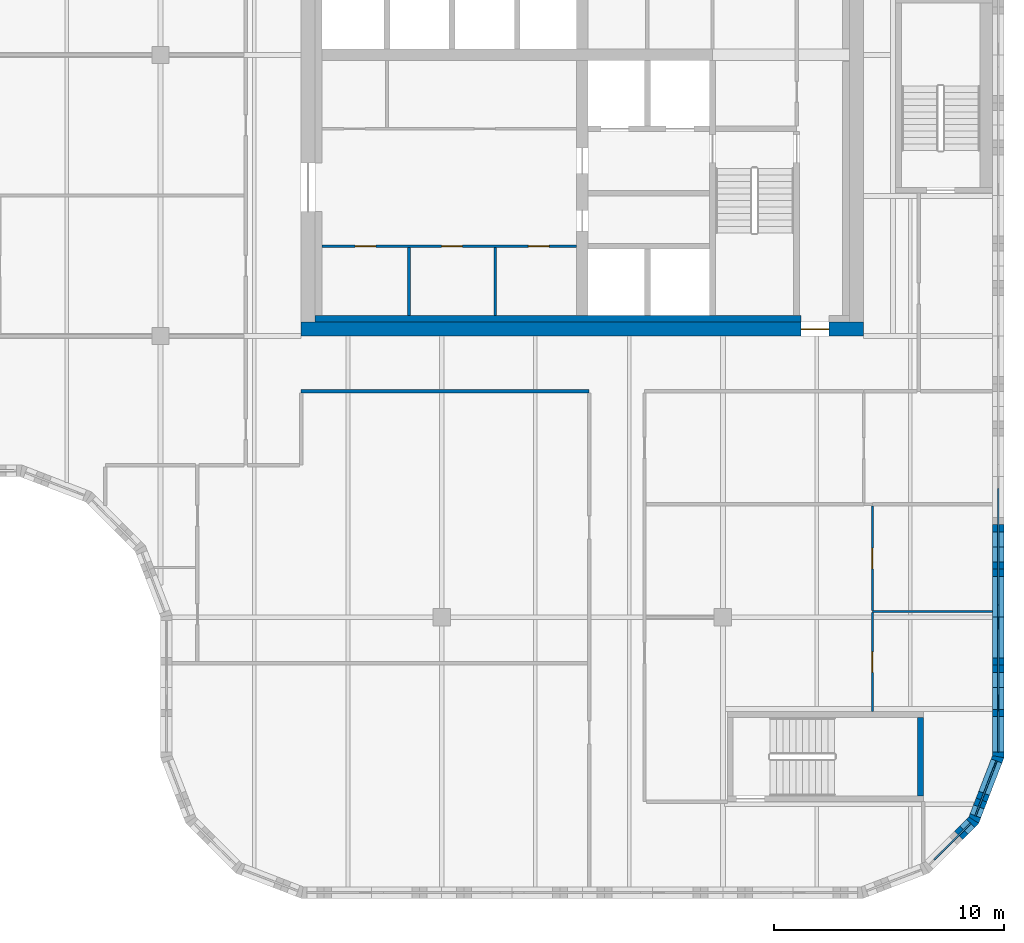
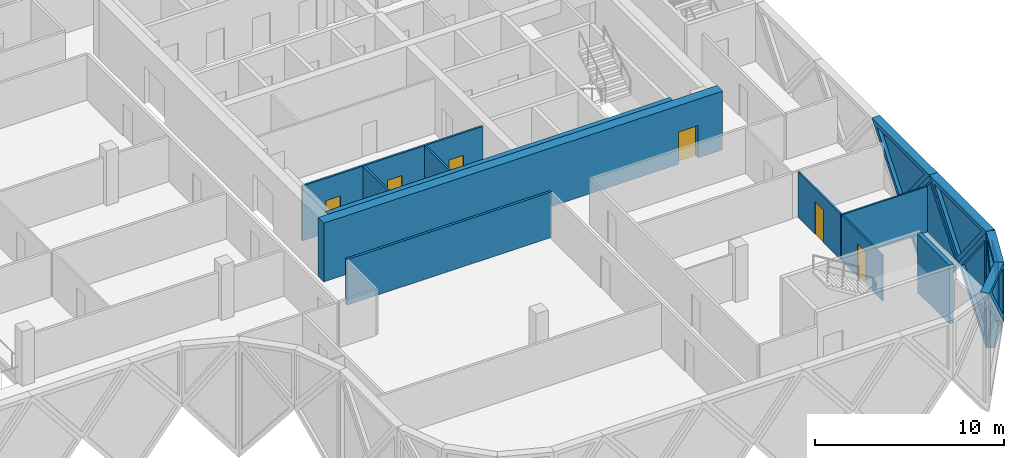
# One storey, part 7 of 15: 17 walls, 7 plates, 6 doors, 13 openings.
"""IFC4 building model written with IfcOpenShell, lengths in metres."""

from ifc_helpers import new_model, si_unit, direction, frame, frame_2d, origin, place, context, subcontext, project, spatial, polyline, rectangle, outline, extrude, faceted_brep, source, transform, mapped, material, layer, layer_set, type_object, element, fill, save


model = new_model("IFC4")

# Units and contexts
model_context = context("Model", 3, precision=1e-05, world=origin(), true_north=direction((0.0, 1.0)))
body_context = subcontext(model_context, "Body", "Model", "MODEL_VIEW")
ifc_project = project(units=[si_unit("LENGTHUNIT", "METRE"), si_unit("AREAUNIT", "SQUARE_METRE"), si_unit("VOLUMEUNIT", "CUBIC_METRE"), si_unit("PLANEANGLEUNIT", "RADIAN"), si_unit("MASSUNIT", "GRAM", prefix="KILO")], contexts=[model_context])

# Site, building, storey
site_placement = place(None, origin())
site = spatial("IfcSite", under=ifc_project, at=site_placement, CompositionType="ELEMENT")
building_placement = place(site_placement, origin())
building = spatial("IfcBuilding", under=site, at=building_placement, Name="Tessera Gate Towers", CompositionType="ELEMENT")
storey_placement = place(building_placement, frame((0.0, 0.0, 189.60009765625)))
storey = spatial("IfcBuildingStorey", under=building, at=storey_placement, Name="L47", CompositionType="ELEMENT", Elevation=189.60009765625)

# Wall
ifc_material_1 = material(Name="Concrete C40/50", Category="concrete")
ifc_layer_1 = layer(ifc_material_1, 0.25)
ifc_layer_set_1 = layer_set([ifc_layer_1], Name="CORE ENCLOSURE WALL 250")
wall_type_1 = type_object("IfcWallType", Name="CORE ENCLOSURE WALL 250", PredefinedType="SOLIDWALL", material=ifc_layer_set_1)
wall_1_placement = place(storey_placement, frame((57.375, 7.85009765625, 0.0), z_axis=(0.0, 0.0, 1.0), x_axis=(0.0, -1.0, 0.0)))
element("IfcWall", 1, at=wall_1_placement, inside=storey, type_object=wall_type_1, Name="L47 ST4 enclosure wall", PredefinedType="SOLIDWALL", context=body_context, shape_type="SweptSolid", body=[
    extrude(rectangle(XDim=3.400146484375, YDim=0.25, at=frame_2d((1.7001953125, 0.0))), origin(), (0.0, 0.0, 1.0), 3.7998046875),
])

# Wall, openings, doors
ifc_material_2 = material(Name="Gypsum board on steel studs", Category="steel")
ifc_layer_2 = layer(ifc_material_2, 0.1201171875)
ifc_layer_set_2 = layer_set([ifc_layer_2], Name="CORE PARTITION 120")
wall_type_2 = type_object("IfcWallType", Name="CORE PARTITION 120", PredefinedType="PARTITIONING", material=ifc_layer_set_2)
wall_2_placement = place(storey_placement, frame((42.449951171875, 28.300048828125, 0.0), z_axis=(0.0, 0.0, 1.0), x_axis=(-1.0, 0.0, 0.0)))
wall_2 = element("IfcWall", 2, at=wall_2_placement, inside=storey, type_object=wall_type_2, Name="L47 core partition", PredefinedType="PARTITIONING", context=body_context, shape_type="SweptSolid", body=[
    extrude(rectangle(XDim=11.050048828125, YDim=0.1201171875, at=frame_2d((5.52490234375, 0.0))), origin(), (0.0, 0.0, 1.0), 3.5498046875),
])
shared_shape_1 = source(origin(), body_context, "Body", "SweptSolid", [
    extrude(rectangle(XDim=0.89990234375, YDim=2.10009765625, at=frame_2d((0.449951171875, 1.050048828125))), frame((0.0, 0.070068359375, 0.0), z_axis=(0.0, -1.0, 0.0), x_axis=(1.0, 0.0, 0.0)), (0.0, 0.0, 1.0), 0.14013671875),
])
opening_1_placement = place(wall_2_placement, frame((8.71240234375, 0.0, 0.0)))
opening_1 = element("IfcOpeningElement", 3, at=opening_1_placement, cuts=wall_2, Name="Opening RD-T1-29-07", PredefinedType="OPENING", context=body_context, shape_type="MappedRepresentation", body=[
    mapped(shared_shape_1, transform((0.0, 0.0, 0.0), scale=1.0)),
])
opening_2_placement = place(wall_2_placement, frame((4.949951171875, 0.0, 0.0)))
opening_2 = element("IfcOpeningElement", 4, at=opening_2_placement, cuts=wall_2, Name="Opening RD-T1-29-08", PredefinedType="OPENING", context=body_context, shape_type="MappedRepresentation", body=[
    mapped(shared_shape_1, transform((0.0, 0.0, 0.0), scale=1.0)),
])
opening_3_placement = place(wall_2_placement, frame((1.1875, 0.0, 0.0)))
opening_3 = element("IfcOpeningElement", 5, at=opening_3_placement, cuts=wall_2, Name="Opening RD-T1-29-09", PredefinedType="OPENING", context=body_context, shape_type="MappedRepresentation", body=[
    mapped(shared_shape_1, transform((0.0, 0.0, 0.0), scale=1.0)),
])
ifc_material_3 = material(Name="Hollow steel fire door", Category="steel")
door_type_1 = type_object("IfcDoorType", Name="CORE DOOR RD 900x2100", OperationType="NOTDEFINED", PredefinedType="DOOR", material=ifc_material_3)
shared_shape_2 = source(origin(), body_context, "Body", "SweptSolid", [
    extrude(rectangle(XDim=0.89990234375, YDim=2.10009765625, at=frame_2d((0.449951171875, 1.050048828125))), frame((0.0, 0.02490234375, 0.0), z_axis=(0.0, -1.0, 0.0), x_axis=(1.0, 0.0, 0.0)), (0.0, 0.0, 1.0), 0.050048828125),
])
door_1_placement = place(opening_1_placement, origin())
door_1 = element("IfcDoor", 6, at=door_1_placement, inside=storey, type_object=door_type_1, Name="Core room door", OperationType="SINGLE_SWING_RIGHT", OverallHeight=2.10009765625, OverallWidth=0.89990234375, PredefinedType="DOOR", context=body_context, shape_type="MappedRepresentation", body=[
    mapped(shared_shape_2, transform((0.0, 0.0, 0.0), scale=1.0)),
])
fill(opening_1, door_1)
door_2_placement = place(opening_2_placement, origin())
door_2 = element("IfcDoor", 7, at=door_2_placement, inside=storey, type_object=door_type_1, Name="Core room door", OperationType="SINGLE_SWING_LEFT", OverallHeight=2.10009765625, OverallWidth=0.89990234375, PredefinedType="DOOR", context=body_context, shape_type="MappedRepresentation", body=[
    mapped(shared_shape_2, transform((0.0, 0.0, 0.0), scale=1.0)),
])
fill(opening_2, door_2)
door_3_placement = place(opening_3_placement, origin())
door_3 = element("IfcDoor", 8, at=door_3_placement, inside=storey, type_object=door_type_1, Name="Core room door", OperationType="SINGLE_SWING_LEFT", OverallHeight=2.10009765625, OverallWidth=0.89990234375, PredefinedType="DOOR", context=body_context, shape_type="MappedRepresentation", body=[
    mapped(shared_shape_2, transform((0.0, 0.0, 0.0), scale=1.0)),
])
fill(opening_3, door_3)

# Walls
for number, where, z_axis, x_axis, name in (
    (9, (35.175048828125, 25.300048828125, 0.0), (0.0, 0.0, 1.0), (0.0, 1.0, 0.0), "L47 core partition"),
    (10, (38.925048828125, 25.300048828125, 0.0), (0.0, 0.0, 1.0), (0.0, 1.0, 0.0), "L47 core partition"),
):
    element("IfcWall", number, at=place(storey_placement, frame(where, z_axis=z_axis, x_axis=x_axis)), inside=storey, type_object=wall_type_2, Name=name, PredefinedType="PARTITIONING", context=body_context, shape_type="SweptSolid", body=[
        extrude(rectangle(XDim=2.93994140625, YDim=0.1201171875, at=frame_2d((1.469970703125, 0.0))), origin(), (0.0, 0.0, 1.0), 3.5498046875),
    ])

# Wall, opening, door
ifc_material_4 = material(Name="Concrete C50/60", Category="concrete")
ifc_layer_3 = layer(ifc_material_4, 0.60009765625)
ifc_layer_set_3 = layer_set([ifc_layer_3], Name="CORE SHEAR WALL 600 C50/60")
wall_type_3 = type_object("IfcWallType", Name="CORE SHEAR WALL 600 C50/60", PredefinedType="SHEAR", material=ifc_layer_set_3)
wall_3_placement = place(storey_placement, frame((54.89990234375, 24.699951171875, 0.0), z_axis=(0.0, 0.0, 1.0), x_axis=(-1.0, 0.0, 0.0)))
wall_3 = element("IfcWall", 11, at=wall_3_placement, inside=storey, type_object=wall_type_3, Name="Core wall S L47", PredefinedType="SHEAR", context=body_context, shape_type="SweptSolid", body=[
    extrude(rectangle(XDim=24.39990234375, YDim=0.60009765625, at=frame_2d((12.199951171875, 0.0))), origin(), (0.0, 0.0, 1.0), 3.7998046875),
])
shared_shape_3 = source(origin(), body_context, "Body", "SweptSolid", [
    extrude(rectangle(XDim=1.199951171875, YDim=2.10009765625, at=frame_2d((0.60009765625, 1.050048828125))), frame((0.0, 0.31005859375, 0.0), z_axis=(0.0, -1.0, 0.0), x_axis=(1.0, 0.0, 0.0)), (0.0, 0.0, 1.0), 0.6201171875),
])
opening_4_placement = place(wall_3_placement, frame((1.5, 0.0, 0.0)))
opening_4 = element("IfcOpeningElement", 12, at=opening_4_placement, cuts=wall_3, Name="Opening ED-T1-29-01", PredefinedType="OPENING", context=body_context, shape_type="MappedRepresentation", body=[
    mapped(shared_shape_3, transform((0.0, 0.0, 0.0), scale=1.0)),
])
ifc_material_5 = material(Name="Hollow steel fire door", Category="steel")
door_type_2 = type_object("IfcDoorType", Name="CORE DOOR ED 1200x2100", OperationType="NOTDEFINED", PredefinedType="DOOR", material=ifc_material_5)
shared_shape_4 = source(origin(), body_context, "Body", "SweptSolid", [
    extrude(rectangle(XDim=1.199951171875, YDim=2.10009765625, at=frame_2d((0.60009765625, 1.050048828125))), frame((0.0, 0.02490234375, 0.0), z_axis=(0.0, -1.0, 0.0), x_axis=(1.0, 0.0, 0.0)), (0.0, 0.0, 1.0), 0.050048828125),
])
door_4_placement = place(opening_4_placement, origin())
door_4 = element("IfcDoor", 13, at=door_4_placement, inside=storey, type_object=door_type_2, Name="Core exit door", OperationType="SINGLE_SWING_LEFT", OverallHeight=2.10009765625, OverallWidth=1.199951171875, PredefinedType="DOOR", context=body_context, shape_type="MappedRepresentation", body=[
    mapped(shared_shape_4, transform((0.0, 0.0, 0.0), scale=1.0)),
])
fill(opening_4, door_4)

# Walls
ifc_material_6 = material(Name="Concrete C50/60", Category="concrete")
ifc_layer_4 = layer(ifc_material_6, 0.300048828125)
ifc_layer_set_4 = layer_set([ifc_layer_4], Name="CORE WALL THICKENING 300")
wall_type_4 = type_object("IfcWallType", Name="CORE WALL THICKENING 300", PredefinedType="SOLIDWALL", material=ifc_layer_set_4)
wall_4_placement = place(storey_placement, frame((31.10009765625, 25.14990234375, 0.0), z_axis=(0.0, 0.0, 1.0), x_axis=(1.0, 0.0, 0.0)))
element("IfcWall", 14, at=wall_4_placement, inside=storey, type_object=wall_type_4, Name="Core wall thickening S L47", PredefinedType="SOLIDWALL", context=body_context, shape_type="SweptSolid", body=[
    extrude(rectangle(XDim=21.099853515625, YDim=0.300048828125, at=frame_2d((10.5498046875, 0.0))), origin(), (0.0, 0.0, 1.0), 3.7998046875),
])
ifc_material_7 = material(Name="Gypsum board on steel studs, mineral wool", Category="steel")
ifc_layer_5 = layer(ifc_material_7, 0.14990234375)
ifc_layer_set_5 = layer_set([ifc_layer_5], Name="CORRIDOR WALL 150")
wall_type_5 = type_object("IfcWallType", Name="CORRIDOR WALL 150", PredefinedType="PARTITIONING", material=ifc_layer_set_5)
wall_5_placement = place(storey_placement, frame((30.5, 22.0, 0.0), z_axis=(0.0, 0.0, 1.0), x_axis=(1.0, 0.0, 0.0)))
element("IfcWall", 15, at=wall_5_placement, inside=storey, type_object=wall_type_5, Name="T1-L47-PW-023", PredefinedType="PARTITIONING", context=body_context, shape_type="SweptSolid", body=[
    extrude(rectangle(XDim=12.5, YDim=0.14990234375, at=frame_2d((6.25, 0.0))), origin(), (0.0, 0.0, 1.0), 2.947021484375),
])

# Wall, opening, door
ifc_material_8 = material(Name="Glass", Category="glass")
ifc_layer_6 = layer(ifc_material_8, 0.10009765625)
ifc_layer_set_6 = layer_set([ifc_layer_6], Name="GLAZED PARTITION 100")
wall_type_6 = type_object("IfcWallType", Name="GLAZED PARTITION 100", PredefinedType="PARTITIONING", material=ifc_layer_set_6)
wall_6_placement = place(storey_placement, frame((55.2900390625, 12.396728515625, 0.0), z_axis=(0.0, 0.0, 1.0), x_axis=(0.0, -1.0, 0.0)))
wall_6 = element("IfcWall", 16, at=wall_6_placement, inside=storey, type_object=wall_type_6, Name="T1-L47-PW-005", PredefinedType="PARTITIONING", context=body_context, shape_type="SweptSolid", body=[
    extrude(rectangle(XDim=4.296630859375, YDim=0.10009765625, at=frame_2d((2.1484375, 0.0))), origin(), (0.0, 0.0, 1.0), 2.947021484375),
])
shared_shape_5 = source(origin(), body_context, "Body", "SweptSolid", [
    extrude(rectangle(XDim=0.89990234375, YDim=2.10009765625, at=frame_2d((0.449951171875, 1.050048828125))), frame((0.0, 0.06005859375, 0.0), z_axis=(0.0, -1.0, 0.0), x_axis=(1.0, 0.0, 0.0)), (0.0, 0.0, 1.0), 0.1201171875),
])
opening_5_placement = place(wall_6_placement, frame((1.69677734375, 0.0, 0.0)))
opening_5 = element("IfcOpeningElement", 17, at=opening_5_placement, cuts=wall_6, Name="Opening D690-A17-01", PredefinedType="OPENING", context=body_context, shape_type="MappedRepresentation", body=[
    mapped(shared_shape_5, transform((0.0, 0.0, 0.0), scale=1.0)),
])
ifc_material_9 = material(Name="Glass in aluminium frame", Category="aluminium")
door_type_3 = type_object("IfcDoorType", Name="GLAZED DOOR 900 NOT RATED", OperationType="NOTDEFINED", PredefinedType="DOOR", material=ifc_material_9)
door_5_placement = place(opening_5_placement, origin())
door_5 = element("IfcDoor", 18, at=door_5_placement, inside=storey, type_object=door_type_3, Name="T1-L47-PD-003", OperationType="SINGLE_SWING_RIGHT", OverallHeight=2.10009765625, OverallWidth=0.89990234375, PredefinedType="DOOR", context=body_context, shape_type="MappedRepresentation", body=[
    mapped(shared_shape_2, transform((0.0, 0.0, 0.0), scale=1.0)),
])
fill(opening_5, door_5)

wall_7_placement = place(storey_placement, frame((55.2900390625, 17.02392578125, 0.0), z_axis=(0.0, 0.0, 1.0), x_axis=(0.0, -1.0, 0.0)))
wall_7 = element("IfcWall", 19, at=wall_7_placement, inside=storey, type_object=wall_type_6, Name="T1-L47-PW-010", PredefinedType="PARTITIONING", context=body_context, shape_type="SweptSolid", body=[
    extrude(rectangle(XDim=4.525146484375, YDim=0.10009765625, at=frame_2d((2.2626953125, 0.0))), origin(), (0.0, 0.0, 1.0), 2.947021484375),
])
opening_6_placement = place(wall_7_placement, frame((1.8251953125, 0.0, 0.0)))
opening_6 = element("IfcOpeningElement", 20, at=opening_6_placement, cuts=wall_7, Name="Opening D690-A17-02", PredefinedType="OPENING", context=body_context, shape_type="MappedRepresentation", body=[
    mapped(shared_shape_5, transform((0.0, 0.0, 0.0), scale=1.0)),
])
door_6_placement = place(opening_6_placement, origin())
door_6 = element("IfcDoor", 21, at=door_6_placement, inside=storey, type_object=door_type_3, Name="T1-L47-PD-005", OperationType="SINGLE_SWING_RIGHT", OverallHeight=2.10009765625, OverallWidth=0.89990234375, PredefinedType="DOOR", context=body_context, shape_type="MappedRepresentation", body=[
    mapped(shared_shape_2, transform((0.0, 0.0, 0.0), scale=1.0)),
])
fill(opening_6, door_6)

# Wall
ifc_material_10 = material(Name="Gypsum board on steel studs", Category="steel")
ifc_layer_7 = layer(ifc_material_10, 0.10009765625)
ifc_layer_set_7 = layer_set([ifc_layer_7], Name="PARTITION 100")
wall_type_7 = type_object("IfcWallType", Name="PARTITION 100", PredefinedType="PARTITIONING", material=ifc_layer_set_7)
wall_8_placement = place(storey_placement, frame((55.2900390625, 12.447998046875, 0.0), z_axis=(0.0, 0.0, 1.0), x_axis=(1.0, 0.0, 0.0)))
element("IfcWall", 22, at=wall_8_placement, inside=storey, type_object=wall_type_7, Name="T1-L47-PW-009", PredefinedType="PARTITIONING", context=body_context, shape_type="SweptSolid", body=[
    extrude(rectangle(XDim=5.2099609375, YDim=0.10009765625, at=frame_2d((2.60498046875, 0.0))), origin(), (0.0, 0.0, 1.0), 2.947021484375),
])

# Wall, opening, plate
ifc_material_11 = material(Name="Precast concrete C60/75 white", Category="concrete")
ifc_layer_8 = layer(ifc_material_11, 0.5)
ifc_layer_set_8 = layer_set([ifc_layer_8], Name="TS1 tessera")
wall_type_8 = type_object("IfcWallType", Name="TS1 tessera", PredefinedType="SOLIDWALL", material=ifc_layer_set_8)
shared_shape_6 = source(origin(), body_context, "Body", "SweptSolid", [
    extrude(outline(polyline([(3.050048828125, 0.0), (6.10009765625, 3.800048828125), (3.050048828125, 7.599853515625), (0.0, 3.800048828125), (3.050048828125, 0.0)])), frame((0.0, 0.25, 0.0), z_axis=(0.0, -1.0, 0.0), x_axis=(1.0, 0.0, 0.0)), (0.0, 0.0, 1.0), 0.5),
])
wall_9_placement = place(storey_placement, frame((60.75, 9.14990234375, -3.800048828125), z_axis=(0.0, 0.0, 1.0), x_axis=(0.0, 1.0, 0.0)))
wall_9 = element("IfcWall", 23, at=wall_9_placement, inside=storey, type_object=wall_type_8, Name="Precast tessera T1 TS1-0832", PredefinedType="SOLIDWALL", context=body_context, shape_type="MappedRepresentation", body=[
    mapped(shared_shape_6, transform((0.0, 0.0, 0.0), scale=1.0)),
])
shared_shape_7 = source(origin(), body_context, "Body", "SweptSolid", [
    extrude(outline(polyline([(3.050048828125, 0.3994140625), (5.779541015625, 3.800048828125), (3.050048828125, 7.200439453125), (0.320556640625, 3.800048828125), (3.050048828125, 0.3994140625)])), frame((0.0, 0.260009765625, 0.0), z_axis=(0.0, -1.0, 0.0), x_axis=(1.0, 0.0, 0.0)), (0.0, 0.0, 1.0), 0.52001953125),
])
opening_7_placement = place(wall_9_placement, origin())
opening_7 = element("IfcOpeningElement", 24, at=opening_7_placement, cuts=wall_9, Name="Opening T1-PL2-1700", PredefinedType="OPENING", context=body_context, shape_type="MappedRepresentation", body=[
    mapped(shared_shape_7, transform((0.0, 0.0, 0.0), scale=1.0)),
])
ifc_material_12 = material(Name="Low-e laminated glass", Category="glass")
ifc_layer_9 = layer(ifc_material_12, 0.06005859375)
ifc_layer_set_9 = layer_set([ifc_layer_9], Name="PL2 rhombic pane")
plate_type_1 = type_object("IfcPlateType", Name="PL2 rhombic pane", PredefinedType="SHEET", material=ifc_layer_set_9)
shared_shape_8 = source(origin(), body_context, "Body", "SweptSolid", [
    extrude(outline(polyline([(3.050048828125, 0.3994140625), (5.779541015625, 3.800048828125), (3.050048828125, 7.200439453125), (0.320556640625, 3.800048828125), (3.050048828125, 0.3994140625)])), frame((0.0, 0.030029296875, 0.0), z_axis=(0.0, -1.0, 0.0), x_axis=(1.0, 0.0, 0.0)), (0.0, 0.0, 1.0), 0.06005859375),
])
plate_1_placement = place(opening_7_placement, origin())
plate_1 = element("IfcPlate", 25, at=plate_1_placement, inside=storey, type_object=plate_type_1, Name="Glass pane T1 PL2-1700", PredefinedType="SHEET", context=body_context, shape_type="MappedRepresentation", body=[
    mapped(shared_shape_8, transform((0.0, 0.0, 0.0), scale=1.0)),
])
fill(opening_7, plate_1)

ifc_material_13 = material(Name="Precast concrete C60/75 white", Category="concrete")
ifc_layer_10 = layer(ifc_material_13, 0.5)
ifc_layer_set_10 = layer_set([ifc_layer_10], Name="TS3 corner tessera")
wall_type_9 = type_object("IfcWallType", Name="TS3 corner tessera", PredefinedType="SOLIDWALL", material=ifc_layer_set_10)
shared_shape_9 = source(origin(), body_context, "Body", "Brep", [
    faceted_brep([(2.950439453125, -0.25, 0.0), (2.9970703125, -0.25, 0.05908203125), (2.9970703125, -0.25, 7.540771484375), (2.950439453125, -0.25, 7.599853515625), (0.0, -0.25, 3.800048828125), (0.052978515625, 0.25, 3.8681640625), (2.904052734375, 0.25, 7.5400390625), (2.904052734375, 0.25, 0.059814453125), (0.052978515625, 0.25, 3.73193359375), (2.950439453125, 0.00048828125, 0.0), (2.950439453125, 0.00048828125, 7.599853515625), (0.0, 0.0, 3.800048828125)], [[[0, 1, 2, 3, 4]], [[5, 6, 7, 8]], [[1, 0, 9]], [[10, 3, 2]], [[6, 5, 11, 4, 3, 10]], [[8, 7, 9, 0, 4, 11]], [[8, 11, 5]], [[1, 9, 7, 6, 10, 2]]]),
])
wall_10_placement = place(storey_placement, frame((59.68798828125, 3.393798828125, -3.800048828125), z_axis=(0.0, 0.0, 1.0), x_axis=(0.359972353723, 0.932962970624, 0.0)))
wall_10 = element("IfcWall", 26, at=wall_10_placement, inside=storey, type_object=wall_type_9, Name="Precast corner tessera T1 TS3-1083", PredefinedType="SOLIDWALL", context=body_context, shape_type="MappedRepresentation", body=[
    mapped(shared_shape_9, transform((0.0, 0.0, 0.0), scale=1.0)),
])
shared_shape_10 = source(origin(), body_context, "Body", "SweptSolid", [
    extrude(outline(polyline([(2.75048828125, 6.934814453125), (0.31640625, 3.800048828125), (2.75048828125, 0.665283203125), (2.75048828125, 6.934814453125)])), frame((0.0, 0.260009765625, 0.0), z_axis=(0.0, -1.0, 0.0), x_axis=(1.0, 0.0, 0.0)), (0.0, 0.0, 1.0), 0.52001953125),
])
opening_8_placement = place(wall_10_placement, origin())
opening_8 = element("IfcOpeningElement", 27, at=opening_8_placement, cuts=wall_10, Name="Opening T1-PL2-1698", PredefinedType="OPENING", context=body_context, shape_type="MappedRepresentation", body=[
    mapped(shared_shape_10, transform((0.0, 0.0, 0.0), scale=1.0)),
])
shared_shape_11 = source(origin(), body_context, "Body", "SweptSolid", [
    extrude(outline(polyline([(2.75048828125, 6.934814453125), (0.31640625, 3.800048828125), (2.75048828125, 0.665283203125), (2.75048828125, 6.934814453125)])), frame((0.0, 0.030029296875, 0.0), z_axis=(0.0, -1.0, 0.0), x_axis=(1.0, 0.0, 0.0)), (0.0, 0.0, 1.0), 0.06005859375),
])
plate_2_placement = place(opening_8_placement, origin())
plate_2 = element("IfcPlate", 28, at=plate_2_placement, inside=storey, type_object=plate_type_1, Name="Glass pane T1 PL2-1698", PredefinedType="SHEET", context=body_context, shape_type="MappedRepresentation", body=[
    mapped(shared_shape_11, transform((0.0, 0.0, 0.0), scale=1.0)),
])
fill(opening_8, plate_2)

shared_shape_12 = source(origin(), body_context, "Body", "Brep", [
    faceted_brep([(0.046630859375, -0.25, 0.0), (3.050048828125, -0.25, 3.800048828125), (0.046630859375, -0.25, 7.599853515625), (0.0, -0.25, 7.539794921875), (0.0, -0.25, 0.06005859375), (0.09326171875, 0.25, 7.541015625), (3.050048828125, 0.25, 3.800048828125), (0.09326171875, 0.25, 0.058837890625), (0.046630859375, 0.0, 0.0), (0.046630859375, 0.0, 7.599853515625)], [[[0, 1, 2, 3, 4]], [[5, 6, 7]], [[7, 6, 1, 0, 8]], [[6, 5, 9, 2, 1]], [[3, 2, 9]], [[8, 0, 4]], [[7, 8, 4, 3, 9, 5]]]),
])
wall_11_placement = place(storey_placement, frame((60.75, 6.099853515625, -3.800048828125), z_axis=(0.0, 0.0, 1.0), x_axis=(0.0, 1.0, 0.0)))
wall_11 = element("IfcWall", 29, at=wall_11_placement, inside=storey, type_object=wall_type_9, Name="Precast corner tessera T1 TS3-1084", PredefinedType="SOLIDWALL", context=body_context, shape_type="MappedRepresentation", body=[
    mapped(shared_shape_12, transform((0.0, 0.0, 0.0), scale=1.0)),
])
shared_shape_13 = source(origin(), body_context, "Body", "SweptSolid", [
    extrude(outline(polyline([(0.24658203125, 0.65625), (2.7314453125, 3.800048828125), (0.24658203125, 6.94384765625), (0.24658203125, 0.65625)])), frame((0.0, 0.260009765625, 0.0), z_axis=(0.0, -1.0, 0.0), x_axis=(1.0, 0.0, 0.0)), (0.0, 0.0, 1.0), 0.52001953125),
])
opening_9_placement = place(wall_11_placement, origin())
opening_9 = element("IfcOpeningElement", 30, at=opening_9_placement, cuts=wall_11, Name="Opening T1-PL2-1699", PredefinedType="OPENING", context=body_context, shape_type="MappedRepresentation", body=[
    mapped(shared_shape_13, transform((0.0, 0.0, 0.0), scale=1.0)),
])
shared_shape_14 = source(origin(), body_context, "Body", "SweptSolid", [
    extrude(outline(polyline([(0.24658203125, 0.65625), (2.7314453125, 3.800048828125), (0.24658203125, 6.94384765625), (0.24658203125, 0.65625)])), frame((0.0, 0.030029296875, 0.0), z_axis=(0.0, -1.0, 0.0), x_axis=(1.0, 0.0, 0.0)), (0.0, 0.0, 1.0), 0.06005859375),
])
plate_3_placement = place(opening_9_placement, origin())
plate_3 = element("IfcPlate", 31, at=plate_3_placement, inside=storey, type_object=plate_type_1, Name="Glass pane T1 PL2-1699", PredefinedType="SHEET", context=body_context, shape_type="MappedRepresentation", body=[
    mapped(shared_shape_14, transform((0.0, 0.0, 0.0), scale=1.0)),
])
fill(opening_9, plate_3)

ifc_material_14 = material(Name="Precast concrete C60/75 white", Category="concrete")
ifc_layer_11 = layer(ifc_material_14, 0.5)
ifc_layer_set_11 = layer_set([ifc_layer_11], Name="TS2 half tessera")
wall_type_10 = type_object("IfcWallType", Name="TS2 half tessera", PredefinedType="SOLIDWALL", material=ifc_layer_set_11)
shared_shape_15 = source(origin(), body_context, "Body", "SweptSolid", [
    extrude(outline(polyline([(3.050048828125, 0.0), (6.10009765625, 3.7998046875), (0.0, 3.7998046875), (3.050048828125, 0.0)])), frame((0.0, 0.25, 0.0), z_axis=(0.0, -1.0, 0.0), x_axis=(1.0, 0.0, 0.0)), (0.0, 0.0, 1.0), 0.5),
])
wall_12_placement = place(storey_placement, frame((60.75, 12.199951171875, 0.0), z_axis=(0.0, 0.0, 1.0), x_axis=(0.0, 1.0, 0.0)))
wall_12 = element("IfcWall", 32, at=wall_12_placement, inside=storey, type_object=wall_type_10, Name="Precast half tessera T1 TS2-0211", PredefinedType="SOLIDWALL", context=body_context, shape_type="MappedRepresentation", body=[
    mapped(shared_shape_15, transform((0.0, 0.0, 0.0), scale=1.0)),
])
shared_shape_16 = source(origin(), body_context, "Body", "SweptSolid", [
    extrude(outline(polyline([(3.050048828125, 0.3994140625), (5.578857421875, 3.5498046875), (0.521240234375, 3.5498046875), (3.050048828125, 0.3994140625)])), frame((0.0, 0.260009765625, 0.0), z_axis=(0.0, -1.0, 0.0), x_axis=(1.0, 0.0, 0.0)), (0.0, 0.0, 1.0), 0.52001953125),
])
opening_10_placement = place(wall_12_placement, origin())
opening_10 = element("IfcOpeningElement", 33, at=opening_10_placement, cuts=wall_12, Name="Opening T1-PL1-0433", PredefinedType="OPENING", context=body_context, shape_type="MappedRepresentation", body=[
    mapped(shared_shape_16, transform((0.0, 0.0, 0.0), scale=1.0)),
])
ifc_material_15 = material(Name="Low-e laminated glass", Category="glass")
ifc_layer_12 = layer(ifc_material_15, 0.06005859375)
ifc_layer_set_12 = layer_set([ifc_layer_12], Name="PL1 triangular pane")
plate_type_2 = type_object("IfcPlateType", Name="PL1 triangular pane", PredefinedType="SHEET", material=ifc_layer_set_12)
shared_shape_17 = source(origin(), body_context, "Body", "SweptSolid", [
    extrude(outline(polyline([(3.050048828125, 0.3994140625), (5.578857421875, 3.5498046875), (0.521240234375, 3.5498046875), (3.050048828125, 0.3994140625)])), frame((0.0, 0.030029296875, 0.0), z_axis=(0.0, -1.0, 0.0), x_axis=(1.0, 0.0, 0.0)), (0.0, 0.0, 1.0), 0.06005859375),
])
plate_4_placement = place(opening_10_placement, origin())
plate_4 = element("IfcPlate", 34, at=plate_4_placement, inside=storey, type_object=plate_type_2, Name="Glass pane T1 PL1-0433", PredefinedType="SHEET", context=body_context, shape_type="MappedRepresentation", body=[
    mapped(shared_shape_17, transform((0.0, 0.0, 0.0), scale=1.0)),
])
fill(opening_10, plate_4)

shared_shape_18 = source(origin(), body_context, "Body", "Brep", [
    faceted_brep([(2.944091796875, -0.25, 0.0), (2.9970703125, -0.25, 0.068115234375), (2.9970703125, -0.25, 3.7998046875), (0.0, -0.25, 3.7998046875), (0.052978515625, 0.25, 3.7998046875), (2.89111328125, 0.25, 3.7998046875), (2.89111328125, 0.25, 0.068115234375), (0.052978515625, 0.25, 3.7314453125), (2.944091796875, 0.000244140625, 0.0), (0.0, 0.0, 3.7998046875)], [[[0, 1, 2, 3]], [[4, 5, 6, 7]], [[1, 0, 8]], [[5, 4, 9, 3, 2]], [[7, 6, 8, 0, 3, 9]], [[7, 9, 4]], [[1, 8, 6, 5, 2]]]),
])
wall_13_placement = place(storey_placement, frame((57.606201171875, 1.31201171875, 0.0), z_axis=(0.0, 0.0, 1.0), x_axis=(0.707147509625, 0.707066050402, 0.0)))
wall_13 = element("IfcWall", 35, at=wall_13_placement, inside=storey, type_object=wall_type_9, Name="Precast corner tessera T1 TS3-1109", PredefinedType="SOLIDWALL", context=body_context, shape_type="MappedRepresentation", body=[
    mapped(shared_shape_18, transform((0.0, 0.0, 0.0), scale=1.0)),
])
shared_shape_19 = source(origin(), body_context, "Body", "SweptSolid", [
    extrude(outline(polyline([(2.744140625, 3.5498046875), (0.510009765625, 3.5498046875), (2.744140625, 0.666259765625), (2.744140625, 3.5498046875)])), frame((0.0, 0.260009765625, 0.0), z_axis=(0.0, -1.0, 0.0), x_axis=(1.0, 0.0, 0.0)), (0.0, 0.0, 1.0), 0.52001953125),
])
opening_11_placement = place(wall_13_placement, origin())
opening_11 = element("IfcOpeningElement", 36, at=opening_11_placement, cuts=wall_13, Name="Opening T1-PL1-0430", PredefinedType="OPENING", context=body_context, shape_type="MappedRepresentation", body=[
    mapped(shared_shape_19, transform((0.0, 0.0, 0.0), scale=1.0)),
])
shared_shape_20 = source(origin(), body_context, "Body", "SweptSolid", [
    extrude(outline(polyline([(2.744140625, 3.5498046875), (0.510009765625, 3.5498046875), (2.744140625, 0.666259765625), (2.744140625, 3.5498046875)])), frame((0.0, 0.030029296875, 0.0), z_axis=(0.0, -1.0, 0.0), x_axis=(1.0, 0.0, 0.0)), (0.0, 0.0, 1.0), 0.06005859375),
])
plate_5_placement = place(opening_11_placement, origin())
plate_5 = element("IfcPlate", 37, at=plate_5_placement, inside=storey, type_object=plate_type_2, Name="Glass pane T1 PL1-0430", PredefinedType="SHEET", context=body_context, shape_type="MappedRepresentation", body=[
    mapped(shared_shape_20, transform((0.0, 0.0, 0.0), scale=1.0)),
])
fill(opening_11, plate_5)

shared_shape_21 = source(origin(), body_context, "Body", "Brep", [
    faceted_brep([(0.052978515625, -0.25, 0.0), (3.00341796875, -0.25, 3.7998046875), (0.0, -0.25, 3.7998046875), (0.0, -0.25, 0.068359375), (0.10595703125, 0.25, 3.7998046875), (2.95703125, 0.25, 3.7998046875), (2.95703125, 0.25, 3.739990234375), (0.10595703125, 0.25, 0.068115234375), (3.00341796875, 0.00048828125, 3.7998046875), (0.052978515625, 0.0, 0.0)], [[[0, 1, 2, 3]], [[4, 5, 6, 7]], [[7, 6, 8, 1, 0, 9]], [[5, 4, 2, 1, 8]], [[9, 0, 3]], [[7, 9, 3, 2, 4]], [[6, 5, 8]]]),
])
wall_14_placement = place(storey_placement, frame((59.6689453125, 3.34423828125, 0.0), z_axis=(0.0, 0.0, 1.0), x_axis=(0.35992665181, 0.932980602862, 0.0)))
wall_14 = element("IfcWall", 38, at=wall_14_placement, inside=storey, type_object=wall_type_9, Name="Precast corner tessera T1 TS3-1110", PredefinedType="SOLIDWALL", context=body_context, shape_type="MappedRepresentation", body=[
    mapped(shared_shape_21, transform((0.0, 0.0, 0.0), scale=1.0)),
])
shared_shape_22 = source(origin(), body_context, "Body", "SweptSolid", [
    extrude(outline(polyline([(0.2529296875, 0.6650390625), (2.492919921875, 3.5498046875), (0.2529296875, 3.5498046875), (0.2529296875, 0.6650390625)])), frame((0.0, 0.260009765625, 0.0), z_axis=(0.0, -1.0, 0.0), x_axis=(1.0, 0.0, 0.0)), (0.0, 0.0, 1.0), 0.52001953125),
])
opening_12_placement = place(wall_14_placement, origin())
opening_12 = element("IfcOpeningElement", 39, at=opening_12_placement, cuts=wall_14, Name="Opening T1-PL1-0431", PredefinedType="OPENING", context=body_context, shape_type="MappedRepresentation", body=[
    mapped(shared_shape_22, transform((0.0, 0.0, 0.0), scale=1.0)),
])
shared_shape_23 = source(origin(), body_context, "Body", "SweptSolid", [
    extrude(outline(polyline([(0.2529296875, 0.6650390625), (2.492919921875, 3.5498046875), (0.2529296875, 3.5498046875), (0.2529296875, 0.6650390625)])), frame((0.0, 0.030029296875, 0.0), z_axis=(0.0, -1.0, 0.0), x_axis=(1.0, 0.0, 0.0)), (0.0, 0.0, 1.0), 0.06005859375),
])
plate_6_placement = place(opening_12_placement, origin())
plate_6 = element("IfcPlate", 40, at=plate_6_placement, inside=storey, type_object=plate_type_2, Name="Glass pane T1 PL1-0431", PredefinedType="SHEET", context=body_context, shape_type="MappedRepresentation", body=[
    mapped(shared_shape_23, transform((0.0, 0.0, 0.0), scale=1.0)),
])
fill(opening_12, plate_6)

shared_shape_24 = source(origin(), body_context, "Body", "Brep", [
    faceted_brep([(3.00341796875, -0.25, 0.0), (6.053466796875, -0.25, 3.7998046875), (0.0, -0.25, 3.7998046875), (0.046630859375, 0.25, 3.7998046875), (6.053466796875, 0.25, 3.7998046875), (3.00341796875, 0.25, 0.0), (0.046630859375, 0.25, 3.740966796875), (0.0, 0.0, 3.7998046875)], [[[0, 1, 2]], [[3, 4, 5, 6]], [[5, 4, 1, 0]], [[4, 3, 7, 2, 1]], [[6, 5, 0, 2, 7]], [[6, 7, 3]]]),
])
wall_15_placement = place(storey_placement, frame((60.75, 6.146484375, 0.0), z_axis=(0.0, 0.0, 1.0), x_axis=(0.0, 1.0, 0.0)))
wall_15 = element("IfcWall", 41, at=wall_15_placement, inside=storey, type_object=wall_type_10, Name="Precast half tessera T1 TS2-0210", PredefinedType="SOLIDWALL", context=body_context, shape_type="MappedRepresentation", body=[
    mapped(shared_shape_24, transform((0.0, 0.0, 0.0), scale=1.0)),
])
shared_shape_25 = source(origin(), body_context, "Body", "SweptSolid", [
    extrude(outline(polyline([(3.0048828125, 0.401123046875), (5.5322265625, 3.5498046875), (0.516357421875, 3.5498046875), (3.0048828125, 0.401123046875)])), frame((0.0, 0.260009765625, 0.0), z_axis=(0.0, -1.0, 0.0), x_axis=(1.0, 0.0, 0.0)), (0.0, 0.0, 1.0), 0.52001953125),
])
opening_13_placement = place(wall_15_placement, origin())
opening_13 = element("IfcOpeningElement", 42, at=opening_13_placement, cuts=wall_15, Name="Opening T1-PL1-0432", PredefinedType="OPENING", context=body_context, shape_type="MappedRepresentation", body=[
    mapped(shared_shape_25, transform((0.0, 0.0, 0.0), scale=1.0)),
])
shared_shape_26 = source(origin(), body_context, "Body", "SweptSolid", [
    extrude(outline(polyline([(3.0048828125, 0.401123046875), (5.5322265625, 3.5498046875), (0.516357421875, 3.5498046875), (3.0048828125, 0.401123046875)])), frame((0.0, 0.030029296875, 0.0), z_axis=(0.0, -1.0, 0.0), x_axis=(1.0, 0.0, 0.0)), (0.0, 0.0, 1.0), 0.06005859375),
])
plate_7_placement = place(opening_13_placement, origin())
plate_7 = element("IfcPlate", 43, at=plate_7_placement, inside=storey, type_object=plate_type_2, Name="Glass pane T1 PL1-0432", PredefinedType="SHEET", context=body_context, shape_type="MappedRepresentation", body=[
    mapped(shared_shape_26, transform((0.0, 0.0, 0.0), scale=1.0)),
])
fill(opening_13, plate_7)

save(model, "model.ifc")
